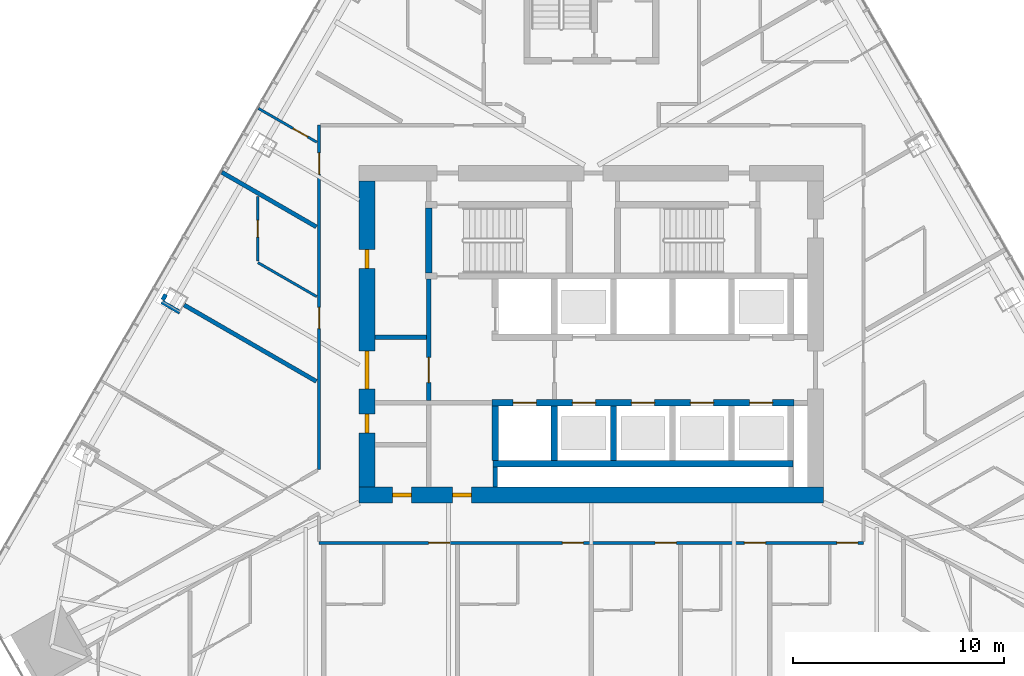
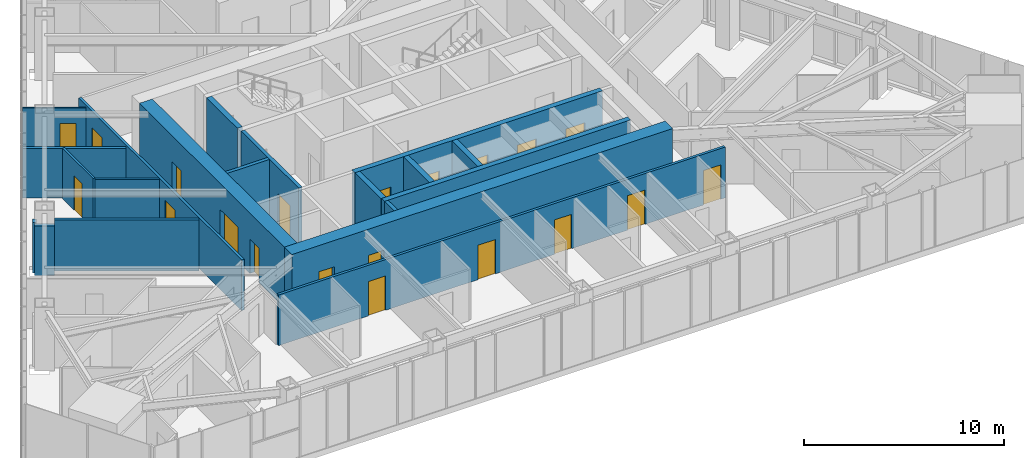
# One storey, part 13 of 19: 20 doors, 20 walls, 20 openings.
"""IFC4 building model written with IfcOpenShell, lengths in metres."""

from ifc_helpers import new_model, si_unit, direction, frame, frame_2d, origin, place, context, subcontext, project, spatial, rectangle, extrude, material, layer, layer_set, type_object, element, fill, save


model = new_model("IFC4")

# Units and contexts
model_context = context("Model", 3, precision=1e-05, world=origin(), true_north=direction((0.0, 1.0)))
body_context = subcontext(model_context, "Body", "Model", "MODEL_VIEW")
ifc_project = project(units=[si_unit("LENGTHUNIT", "METRE"), si_unit("AREAUNIT", "SQUARE_METRE"), si_unit("VOLUMEUNIT", "CUBIC_METRE"), si_unit("PLANEANGLEUNIT", "RADIAN"), si_unit("MASSUNIT", "GRAM", prefix="KILO")], contexts=[model_context])

# Site, building, storey
site_placement = place(None, origin())
site = spatial("IfcSite", under=ifc_project, at=site_placement, CompositionType="ELEMENT")
building_placement = place(site_placement, origin())
building = spatial("IfcBuilding", under=site, at=building_placement, Name="Firuza Gate Tower and Library", CompositionType="ELEMENT")
storey_placement = place(building_placement, frame((0.0, 0.0, 210.39990234375)))
storey = spatial("IfcBuildingStorey", under=building, at=storey_placement, Name="L49", CompositionType="ELEMENT", Elevation=210.39990234375)

# Wall
ifc_material_1 = material(Name="Plasterboard on steel studs", Category="steel")
ifc_layer_1 = layer(ifc_material_1, 0.199951171875)
ifc_layer_set_1 = layer_set([ifc_layer_1], Name="Core partition 200 EI 120")
wall_type_1 = type_object("IfcWallType", Name="Core partition 200 EI 120", PredefinedType="PARTITIONING", material=ifc_layer_set_1)
wall_1_placement = place(storey_placement, frame((64.75, 74.85009765625, 0.0), z_axis=(0.0, 0.0, 1.0), x_axis=(1.0, 0.0, 0.0)))
element("IfcWall", 1, at=wall_1_placement, inside=storey, type_object=wall_type_1, Name="Core partition L49 4", PredefinedType="PARTITIONING", context=body_context, shape_type="SweptSolid", body=[
    extrude(rectangle(XDim=2.449951171875, YDim=0.199951171875, at=frame_2d((1.22509765625, 0.0))), origin(), (0.0, 0.0, 1.0), 3.7001953125),
])

# Wall, opening, door
wall_2_placement = place(storey_placement, frame((67.300048828125, 71.85009765625, 0.0), z_axis=(0.0, 0.0, 1.0), x_axis=(0.0, 1.0, 0.0)))
wall_2 = element("IfcWall", 2, at=wall_2_placement, inside=storey, type_object=wall_type_1, Name="Core partition L49 8", PredefinedType="PARTITIONING", context=body_context, shape_type="SweptSolid", body=[
    extrude(rectangle(XDim=5.75, YDim=0.199951171875, at=frame_2d((2.875, 0.0))), origin(), (0.0, 0.0, 1.0), 3.7001953125),
])
opening_1_placement = place(wall_2_placement, frame((0.85009765625, 0.0, 0.0)))
opening_1 = element("IfcOpeningElement", 3, at=opening_1_placement, cuts=wall_2, Name="Opening L49-K19", PredefinedType="OPENING", context=body_context, shape_type="SweptSolid", body=[
    extrude(rectangle(XDim=1.199951171875, YDim=2.10009765625, at=frame_2d((0.60009765625, 1.050048828125))), frame((0.0, 0.10986328125, 0.0), z_axis=(0.0, -1.0, 0.0), x_axis=(1.0, 0.0, 0.0)), (0.0, 0.0, 1.0), 0.219970703125),
])
ifc_material_2 = material(Name="Steel", Category="steel")
door_type_1 = type_object("IfcDoorType", Name="Fire door 1200x2100 FD90S", OperationType="NOTDEFINED", PredefinedType="DOOR", material=ifc_material_2)
door_1_placement = place(opening_1_placement, origin())
door_1 = element("IfcDoor", 4, at=door_1_placement, inside=storey, type_object=door_type_1, Name="Door L49-K19", OperationType="SINGLE_SWING_RIGHT", OverallHeight=2.10009765625, OverallWidth=1.199951171875, PredefinedType="DOOR", context=body_context, shape_type="SweptSolid", body=[
    extrude(rectangle(XDim=1.199951171875, YDim=2.10009765625, at=frame_2d((0.60009765625, 1.050048828125))), frame((0.0, 0.02490234375, 0.0), z_axis=(0.0, -1.0, 0.0), x_axis=(1.0, 0.0, 0.0)), (0.0, 0.0, 1.0), 0.050048828125),
])
fill(opening_1, door_1)

# Walls
wall_3_placement = place(storey_placement, frame((70.449951171875, 67.75, 0.0), z_axis=(0.0, 0.0, 1.0), x_axis=(0.0, 1.0, 0.0)))
element("IfcWall", 5, at=wall_3_placement, inside=storey, type_object=wall_type_1, Name="Core partition L49 10", PredefinedType="PARTITIONING", context=body_context, shape_type="SweptSolid", body=[
    extrude(rectangle(XDim=0.949951171875, YDim=0.199951171875, at=frame_2d((0.47509765625, 0.0))), origin(), (0.0, 0.0, 1.0), 3.7001953125),
])
ifc_material_3 = material(Name="Concrete C80/95", Category="concrete")
ifc_layer_2 = layer(ifc_material_3, 0.300048828125)
ifc_layer_set_2 = layer_set([ifc_layer_2], Name="Core wall 300 C80/95")
wall_type_2 = type_object("IfcWallType", Name="Core wall 300 C80/95", PredefinedType="SHEAR", material=ifc_layer_set_2)
wall_4_placement = place(storey_placement, frame((70.35009765625, 68.85009765625, 0.0), z_axis=(0.0, 0.0, 1.0), x_axis=(1.0, 0.0, 0.0)))
element("IfcWall", 6, at=wall_4_placement, inside=storey, type_object=wall_type_2, Name="Core wall L49 5", PredefinedType="SHEAR", context=body_context, shape_type="SweptSolid", body=[
    extrude(rectangle(XDim=14.199951171875, YDim=0.300048828125, at=frame_2d((7.10009765625, 0.0))), origin(), (0.0, 0.0, 1.0), 3.7001953125),
])

# Wall, openings, doors
wall_5_placement = place(storey_placement, frame((70.300048828125, 71.75, 0.0), z_axis=(0.0, 0.0, 1.0), x_axis=(1.0, 0.0, 0.0)))
wall_5 = element("IfcWall", 7, at=wall_5_placement, inside=storey, type_object=wall_type_2, Name="Core wall L49 6", PredefinedType="SHEAR", context=body_context, shape_type="SweptSolid", body=[
    extrude(rectangle(XDim=14.300048828125, YDim=0.300048828125, at=frame_2d((7.14990234375, 0.0))), origin(), (0.0, 0.0, 1.0), 3.7001953125),
])
opening_2_placement = place(wall_5_placement, frame((1.0, 0.0, 0.0)))
opening_2 = element("IfcOpeningElement", 8, at=opening_2_placement, cuts=wall_5, Name="Opening LD-FF1-L49", PredefinedType="OPENING", context=body_context, shape_type="SweptSolid", body=[
    extrude(rectangle(XDim=1.10009765625, YDim=2.10009765625, at=frame_2d((0.550048828125, 1.050048828125))), frame((0.0, 0.16015625, 0.0), z_axis=(0.0, -1.0, 0.0), x_axis=(1.0, 0.0, 0.0)), (0.0, 0.0, 1.0), 0.320068359375),
])
opening_3_placement = place(wall_5_placement, frame((3.800048828125, 0.0, 0.0)))
opening_3 = element("IfcOpeningElement", 9, at=opening_3_placement, cuts=wall_5, Name="Opening LD-MR1-L49", PredefinedType="OPENING", context=body_context, shape_type="SweptSolid", body=[
    extrude(rectangle(XDim=1.10009765625, YDim=2.10009765625, at=frame_2d((0.550048828125, 1.050048828125))), frame((0.0, 0.16015625, 0.0), z_axis=(0.0, -1.0, 0.0), x_axis=(1.0, 0.0, 0.0)), (0.0, 0.0, 1.0), 0.320068359375),
])
opening_4_placement = place(wall_5_placement, frame((6.60009765625, 0.0, 0.0)))
opening_4 = element("IfcOpeningElement", 10, at=opening_4_placement, cuts=wall_5, Name="Opening LD-MR2-L49", PredefinedType="OPENING", context=body_context, shape_type="SweptSolid", body=[
    extrude(rectangle(XDim=1.10009765625, YDim=2.10009765625, at=frame_2d((0.550048828125, 1.050048828125))), frame((0.0, 0.16015625, 0.0), z_axis=(0.0, -1.0, 0.0), x_axis=(1.0, 0.0, 0.0)), (0.0, 0.0, 1.0), 0.320068359375),
])
opening_5_placement = place(wall_5_placement, frame((9.39990234375, 0.0, 0.0)))
opening_5 = element("IfcOpeningElement", 11, at=opening_5_placement, cuts=wall_5, Name="Opening LD-MR3-L49", PredefinedType="OPENING", context=body_context, shape_type="SweptSolid", body=[
    extrude(rectangle(XDim=1.10009765625, YDim=2.10009765625, at=frame_2d((0.550048828125, 1.050048828125))), frame((0.0, 0.16015625, 0.0), z_axis=(0.0, -1.0, 0.0), x_axis=(1.0, 0.0, 0.0)), (0.0, 0.0, 1.0), 0.320068359375),
])
opening_6_placement = place(wall_5_placement, frame((12.199951171875, 0.0, 0.0)))
opening_6 = element("IfcOpeningElement", 12, at=opening_6_placement, cuts=wall_5, Name="Opening LD-MR5-L49", PredefinedType="OPENING", context=body_context, shape_type="SweptSolid", body=[
    extrude(rectangle(XDim=1.10009765625, YDim=2.10009765625, at=frame_2d((0.550048828125, 1.050048828125))), frame((0.0, 0.16015625, 0.0), z_axis=(0.0, -1.0, 0.0), x_axis=(1.0, 0.0, 0.0)), (0.0, 0.0, 1.0), 0.320068359375),
])
ifc_material_4 = material(Name="Stainless steel", Category="steel")
door_type_2 = type_object("IfcDoorType", Name="Lift landing door 1100x2100", OperationType="DOUBLE_DOOR_SLIDING", PredefinedType="DOOR", material=ifc_material_4)
door_2_placement = place(opening_2_placement, origin())
door_2 = element("IfcDoor", 13, at=door_2_placement, inside=storey, type_object=door_type_2, Name="Landing door FF1 L49", OperationType="DOUBLE_DOOR_SLIDING", OverallHeight=2.10009765625, OverallWidth=1.10009765625, PredefinedType="DOOR", context=body_context, shape_type="SweptSolid", body=[
    extrude(rectangle(XDim=1.10009765625, YDim=2.10009765625, at=frame_2d((0.550048828125, 1.050048828125))), frame((0.0, 0.02490234375, 0.0), z_axis=(0.0, -1.0, 0.0), x_axis=(1.0, 0.0, 0.0)), (0.0, 0.0, 1.0), 0.050048828125),
])
fill(opening_2, door_2)
door_3_placement = place(opening_3_placement, origin())
door_3 = element("IfcDoor", 14, at=door_3_placement, inside=storey, type_object=door_type_2, Name="Landing door MR1 L49", OperationType="DOUBLE_DOOR_SLIDING", OverallHeight=2.10009765625, OverallWidth=1.10009765625, PredefinedType="DOOR", context=body_context, shape_type="SweptSolid", body=[
    extrude(rectangle(XDim=1.10009765625, YDim=2.10009765625, at=frame_2d((0.550048828125, 1.050048828125))), frame((0.0, 0.02490234375, 0.0), z_axis=(0.0, -1.0, 0.0), x_axis=(1.0, 0.0, 0.0)), (0.0, 0.0, 1.0), 0.050048828125),
])
fill(opening_3, door_3)
door_4_placement = place(opening_4_placement, origin())
door_4 = element("IfcDoor", 15, at=door_4_placement, inside=storey, type_object=door_type_2, Name="Landing door MR2 L49", OperationType="DOUBLE_DOOR_SLIDING", OverallHeight=2.10009765625, OverallWidth=1.10009765625, PredefinedType="DOOR", context=body_context, shape_type="SweptSolid", body=[
    extrude(rectangle(XDim=1.10009765625, YDim=2.10009765625, at=frame_2d((0.550048828125, 1.050048828125))), frame((0.0, 0.02490234375, 0.0), z_axis=(0.0, -1.0, 0.0), x_axis=(1.0, 0.0, 0.0)), (0.0, 0.0, 1.0), 0.050048828125),
])
fill(opening_4, door_4)
door_5_placement = place(opening_5_placement, origin())
door_5 = element("IfcDoor", 16, at=door_5_placement, inside=storey, type_object=door_type_2, Name="Landing door MR3 L49", OperationType="DOUBLE_DOOR_SLIDING", OverallHeight=2.10009765625, OverallWidth=1.10009765625, PredefinedType="DOOR", context=body_context, shape_type="SweptSolid", body=[
    extrude(rectangle(XDim=1.10009765625, YDim=2.10009765625, at=frame_2d((0.550048828125, 1.050048828125))), frame((0.0, 0.02490234375, 0.0), z_axis=(0.0, -1.0, 0.0), x_axis=(1.0, 0.0, 0.0)), (0.0, 0.0, 1.0), 0.050048828125),
])
fill(opening_5, door_5)
door_6_placement = place(opening_6_placement, origin())
door_6 = element("IfcDoor", 17, at=door_6_placement, inside=storey, type_object=door_type_2, Name="Landing door MR5 L49", OperationType="DOUBLE_DOOR_SLIDING", OverallHeight=2.10009765625, OverallWidth=1.10009765625, PredefinedType="DOOR", context=body_context, shape_type="SweptSolid", body=[
    extrude(rectangle(XDim=1.10009765625, YDim=2.10009765625, at=frame_2d((0.550048828125, 1.050048828125))), frame((0.0, 0.02490234375, 0.0), z_axis=(0.0, -1.0, 0.0), x_axis=(1.0, 0.0, 0.0)), (0.0, 0.0, 1.0), 0.050048828125),
])
fill(opening_6, door_6)

# Walls
for number, where, z_axis, x_axis, name in (
    (18, (70.449951171875, 69.0, 0.0), (0.0, 0.0, 1.0), (0.0, 1.0, 0.0), "Core wall L49 8"),
    (19, (73.25, 69.0, 0.0), (0.0, 0.0, 1.0), (0.0, 1.0, 0.0), "Core wall L49 10"),
    (20, (76.050048828125, 69.0, 0.0), (0.0, 0.0, 1.0), (0.0, 1.0, 0.0), "Core wall L49 12"),
):
    element("IfcWall", number, at=place(storey_placement, frame(where, z_axis=z_axis, x_axis=x_axis)), inside=storey, type_object=wall_type_2, Name=name, PredefinedType="SHEAR", context=body_context, shape_type="SweptSolid", body=[
        extrude(rectangle(XDim=2.60009765625, YDim=0.300048828125, at=frame_2d((1.300048828125, 0.0))), origin(), (0.0, 0.0, 1.0), 3.7001953125),
    ])
wall_6_placement = place(storey_placement, frame((67.300048828125, 77.89990234375, 0.0), z_axis=(0.0, 0.0, 1.0), x_axis=(0.0, 1.0, 0.0)))
element("IfcWall", 21, at=wall_6_placement, inside=storey, type_object=wall_type_2, Name="Core wall L49 23", PredefinedType="SHEAR", context=body_context, shape_type="SweptSolid", body=[
    extrude(rectangle(XDim=3.080078125, YDim=0.300048828125, at=frame_2d((1.5400390625, 0.0))), origin(), (0.0, 0.0, 1.0), 3.7001953125),
])

# Wall, openings, doors
ifc_material_5 = material(Name="Concrete C80/95", Category="concrete")
ifc_layer_3 = layer(ifc_material_5, 0.75)
ifc_layer_set_3 = layer_set([ifc_layer_3], Name="Core wall 750 C80/95")
wall_type_3 = type_object("IfcWallType", Name="Core wall 750 C80/95", PredefinedType="SHEAR", material=ifc_layer_set_3)
wall_7_placement = place(storey_placement, frame((64.0, 67.375, 0.0), z_axis=(0.0, 0.0, 1.0), x_axis=(1.0, 0.0, 0.0)))
wall_7 = element("IfcWall", 22, at=wall_7_placement, inside=storey, type_object=wall_type_3, Name="Core wall L49 1", PredefinedType="SHEAR", context=body_context, shape_type="SweptSolid", body=[
    extrude(rectangle(XDim=22.0, YDim=0.75, at=frame_2d((11.0, 0.0))), origin(), (0.0, 0.0, 1.0), 3.7001953125),
])
opening_7_placement = place(wall_7_placement, frame((1.574951171875, 0.0, 0.0)))
opening_7 = element("IfcOpeningElement", 23, at=opening_7_placement, cuts=wall_7, Name="Opening L49-K22", PredefinedType="OPENING", context=body_context, shape_type="SweptSolid", body=[
    extrude(rectangle(XDim=0.89990234375, YDim=2.10009765625, at=frame_2d((0.449951171875, 1.050048828125))), frame((0.0, 0.385009765625, 0.0), z_axis=(0.0, -1.0, 0.0), x_axis=(1.0, 0.0, 0.0)), (0.0, 0.0, 1.0), 0.77001953125),
])
opening_8_placement = place(wall_7_placement, frame((4.425048828125, 0.0, 0.0)))
opening_8 = element("IfcOpeningElement", 24, at=opening_8_placement, cuts=wall_7, Name="Opening L49-K24", PredefinedType="OPENING", context=body_context, shape_type="SweptSolid", body=[
    extrude(rectangle(XDim=0.89990234375, YDim=2.10009765625, at=frame_2d((0.449951171875, 1.050048828125))), frame((0.0, 0.385009765625, 0.0), z_axis=(0.0, -1.0, 0.0), x_axis=(1.0, 0.0, 0.0)), (0.0, 0.0, 1.0), 0.77001953125),
])
ifc_material_6 = material(Name="Steel", Category="steel")
door_type_3 = type_object("IfcDoorType", Name="Fire door 900x2100 FD30S", OperationType="NOTDEFINED", PredefinedType="DOOR", material=ifc_material_6)
door_7_placement = place(opening_7_placement, origin())
door_7 = element("IfcDoor", 25, at=door_7_placement, inside=storey, type_object=door_type_3, Name="Door L49-K22", OperationType="SINGLE_SWING_LEFT", OverallHeight=2.10009765625, OverallWidth=0.89990234375, PredefinedType="DOOR", context=body_context, shape_type="SweptSolid", body=[
    extrude(rectangle(XDim=0.89990234375, YDim=2.10009765625, at=frame_2d((0.449951171875, 1.050048828125))), frame((0.0, 0.094970703125, 0.0), z_axis=(0.0, -1.0, 0.0), x_axis=(1.0, 0.0, 0.0)), (0.0, 0.0, 1.0), 0.18994140625),
])
fill(opening_7, door_7)
door_8_placement = place(opening_8_placement, origin())
door_8 = element("IfcDoor", 26, at=door_8_placement, inside=storey, type_object=door_type_3, Name="Door L49-K24", OperationType="SINGLE_SWING_LEFT", OverallHeight=2.10009765625, OverallWidth=0.89990234375, PredefinedType="DOOR", context=body_context, shape_type="SweptSolid", body=[
    extrude(rectangle(XDim=0.89990234375, YDim=2.10009765625, at=frame_2d((0.449951171875, 1.050048828125))), frame((0.0, 0.094970703125, 0.0), z_axis=(0.0, -1.0, 0.0), x_axis=(1.0, 0.0, 0.0)), (0.0, 0.0, 1.0), 0.18994140625),
])
fill(opening_8, door_8)

wall_8_placement = place(storey_placement, frame((64.375, 67.75, 0.0), z_axis=(0.0, 0.0, 1.0), x_axis=(0.0, 1.0, 0.0)))
wall_8 = element("IfcWall", 27, at=wall_8_placement, inside=storey, type_object=wall_type_3, Name="Core wall L49 3", PredefinedType="SHEAR", context=body_context, shape_type="SweptSolid", body=[
    extrude(rectangle(XDim=14.5, YDim=0.75, at=frame_2d((7.25, 0.0))), origin(), (0.0, 0.0, 1.0), 3.7001953125),
])
opening_9_placement = place(wall_8_placement, frame((4.64990234375, 0.0, 0.0)))
opening_9 = element("IfcOpeningElement", 28, at=opening_9_placement, cuts=wall_8, Name="Opening L49-K20", PredefinedType="OPENING", context=body_context, shape_type="SweptSolid", body=[
    extrude(rectangle(XDim=1.800048828125, YDim=2.10009765625, at=frame_2d((0.89990234375, 1.050048828125))), frame((0.0, 0.385009765625, 0.0), z_axis=(0.0, -1.0, 0.0), x_axis=(1.0, 0.0, 0.0)), (0.0, 0.0, 1.0), 0.77001953125),
])
opening_10_placement = place(wall_8_placement, frame((2.550048828125, 0.0, 0.0)))
opening_10 = element("IfcOpeningElement", 29, at=opening_10_placement, cuts=wall_8, Name="Opening L49-K23", PredefinedType="OPENING", context=body_context, shape_type="SweptSolid", body=[
    extrude(rectangle(XDim=0.89990234375, YDim=2.10009765625, at=frame_2d((0.449951171875, 1.050048828125))), frame((0.0, 0.385009765625, 0.0), z_axis=(0.0, -1.0, 0.0), x_axis=(1.0, 0.0, 0.0)), (0.0, 0.0, 1.0), 0.77001953125),
])
opening_11_placement = place(wall_8_placement, frame((10.35009765625, 0.0, 0.0)))
opening_11 = element("IfcOpeningElement", 30, at=opening_11_placement, cuts=wall_8, Name="Opening L49-K25", PredefinedType="OPENING", context=body_context, shape_type="SweptSolid", body=[
    extrude(rectangle(XDim=0.89990234375, YDim=2.10009765625, at=frame_2d((0.449951171875, 1.050048828125))), frame((0.0, 0.385009765625, 0.0), z_axis=(0.0, -1.0, 0.0), x_axis=(1.0, 0.0, 0.0)), (0.0, 0.0, 1.0), 0.77001953125),
])
ifc_material_7 = material(Name="Steel", Category="steel")
door_type_4 = type_object("IfcDoorType", Name="Fire door 1800x2100 FD30S", OperationType="NOTDEFINED", PredefinedType="DOOR", material=ifc_material_7)
door_9_placement = place(opening_9_placement, origin())
door_9 = element("IfcDoor", 31, at=door_9_placement, inside=storey, type_object=door_type_4, Name="Door L49-K20", OperationType="SINGLE_SWING_LEFT", OverallHeight=2.10009765625, OverallWidth=1.800048828125, PredefinedType="DOOR", context=body_context, shape_type="SweptSolid", body=[
    extrude(rectangle(XDim=1.800048828125, YDim=2.10009765625, at=frame_2d((0.89990234375, 1.050048828125))), frame((0.0, 0.094970703125, 0.0), z_axis=(0.0, -1.0, 0.0), x_axis=(1.0, 0.0, 0.0)), (0.0, 0.0, 1.0), 0.18994140625),
])
fill(opening_9, door_9)
door_10_placement = place(opening_10_placement, origin())
door_10 = element("IfcDoor", 32, at=door_10_placement, inside=storey, type_object=door_type_3, Name="Door L49-K23", OperationType="SINGLE_SWING_RIGHT", OverallHeight=2.10009765625, OverallWidth=0.89990234375, PredefinedType="DOOR", context=body_context, shape_type="SweptSolid", body=[
    extrude(rectangle(XDim=0.89990234375, YDim=2.10009765625, at=frame_2d((0.449951171875, 1.050048828125))), frame((0.0, 0.094970703125, 0.0), z_axis=(0.0, -1.0, 0.0), x_axis=(1.0, 0.0, 0.0)), (0.0, 0.0, 1.0), 0.18994140625),
])
fill(opening_10, door_10)
door_11_placement = place(opening_11_placement, origin())
door_11 = element("IfcDoor", 33, at=door_11_placement, inside=storey, type_object=door_type_3, Name="Door L49-K25", OperationType="SINGLE_SWING_RIGHT", OverallHeight=2.10009765625, OverallWidth=0.89990234375, PredefinedType="DOOR", context=body_context, shape_type="SweptSolid", body=[
    extrude(rectangle(XDim=0.89990234375, YDim=2.10009765625, at=frame_2d((0.449951171875, 1.050048828125))), frame((0.0, 0.094970703125, 0.0), z_axis=(0.0, -1.0, 0.0), x_axis=(1.0, 0.0, 0.0)), (0.0, 0.0, 1.0), 0.18994140625),
])
fill(opening_11, door_11)

ifc_material_8 = material(Name="Gypsum board partition")
ifc_layer_4 = layer(ifc_material_8, 0.14990234375)
ifc_layer_set_4 = layer_set([ifc_layer_4], Name="Corridor wall 150 double board on steel studs")
wall_type_4 = type_object("IfcWallType", Name="Corridor wall 150 double board on steel studs", PredefinedType="PARTITIONING", material=ifc_layer_set_4)
wall_9_placement = place(storey_placement, frame((87.8994140625, 65.10009765625, 0.0), z_axis=(0.0, 0.0, 1.0), x_axis=(-1.0, 0.0, 0.0)))
wall_9 = element("IfcWall", 34, at=wall_9_placement, inside=storey, type_object=wall_type_4, Name="f:L49:w008", PredefinedType="PARTITIONING", context=body_context, shape_type="SweptSolid", body=[
    extrude(rectangle(XDim=25.798828125, YDim=0.14990234375, at=frame_2d((12.8994140625, 0.0))), origin(), (0.0, 0.0, 1.0), 3.10009765625),
])
opening_12_placement = place(wall_9_placement, frame((0.259033203125, 0.0, 0.0)))
opening_12 = element("IfcOpeningElement", 35, at=opening_12_placement, cuts=wall_9, Name="Opening L49-06", PredefinedType="OPENING", context=body_context, shape_type="SweptSolid", body=[
    extrude(rectangle(XDim=1.0, YDim=2.10009765625, at=frame_2d((0.5, 1.050048828125))), frame((0.0, 0.0849609375, 0.0), z_axis=(0.0, -1.0, 0.0), x_axis=(1.0, 0.0, 0.0)), (0.0, 0.0, 1.0), 0.169921875),
])
opening_13_placement = place(wall_9_placement, frame((4.640625, 0.0, 0.0)))
opening_13 = element("IfcOpeningElement", 36, at=opening_13_placement, cuts=wall_9, Name="Opening L49-07", PredefinedType="OPENING", context=body_context, shape_type="SweptSolid", body=[
    extrude(rectangle(XDim=1.0, YDim=2.10009765625, at=frame_2d((0.5, 1.050048828125))), frame((0.0, 0.0849609375, 0.0), z_axis=(0.0, -1.0, 0.0), x_axis=(1.0, 0.0, 0.0)), (0.0, 0.0, 1.0), 0.169921875),
])
opening_14_placement = place(wall_9_placement, frame((8.868408203125, 0.0, 0.0)))
opening_14 = element("IfcOpeningElement", 37, at=opening_14_placement, cuts=wall_9, Name="Opening L49-08", PredefinedType="OPENING", context=body_context, shape_type="SweptSolid", body=[
    extrude(rectangle(XDim=1.0, YDim=2.10009765625, at=frame_2d((0.5, 1.050048828125))), frame((0.0, 0.0849609375, 0.0), z_axis=(0.0, -1.0, 0.0), x_axis=(1.0, 0.0, 0.0)), (0.0, 0.0, 1.0), 0.169921875),
])
opening_15_placement = place(wall_9_placement, frame((13.2705078125, 0.0, 0.0)))
opening_15 = element("IfcOpeningElement", 38, at=opening_15_placement, cuts=wall_9, Name="Opening L49-09", PredefinedType="OPENING", context=body_context, shape_type="SweptSolid", body=[
    extrude(rectangle(XDim=1.0, YDim=2.10009765625, at=frame_2d((0.5, 1.050048828125))), frame((0.0, 0.0849609375, 0.0), z_axis=(0.0, -1.0, 0.0), x_axis=(1.0, 0.0, 0.0)), (0.0, 0.0, 1.0), 0.169921875),
])
opening_16_placement = place(wall_9_placement, frame((19.6123046875, 0.0, 0.0)))
opening_16 = element("IfcOpeningElement", 39, at=opening_16_placement, cuts=wall_9, Name="Opening L49-10", PredefinedType="OPENING", context=body_context, shape_type="SweptSolid", body=[
    extrude(rectangle(XDim=1.0, YDim=2.10009765625, at=frame_2d((0.5, 1.050048828125))), frame((0.0, 0.0849609375, 0.0), z_axis=(0.0, -1.0, 0.0), x_axis=(1.0, 0.0, 0.0)), (0.0, 0.0, 1.0), 0.169921875),
])
ifc_material_9 = material(Name="Steel door and timber leaf", Category="steel")
door_type_5 = type_object("IfcDoorType", Name="Fire door 1000 x 2100 steel frame, timber leaf", OperationType="NOTDEFINED", PredefinedType="DOOR", material=ifc_material_9)
door_12_placement = place(opening_12_placement, origin())
door_12 = element("IfcDoor", 40, at=door_12_placement, inside=storey, type_object=door_type_5, Name="f:L49:d006", OperationType="SINGLE_SWING_RIGHT", OverallHeight=2.10009765625, OverallWidth=1.0, PredefinedType="DOOR", context=body_context, shape_type="SweptSolid", body=[
    extrude(rectangle(XDim=1.0, YDim=2.10009765625, at=frame_2d((0.5, 1.050048828125))), frame((0.0, 0.02490234375, 0.0), z_axis=(0.0, -1.0, 0.0), x_axis=(1.0, 0.0, 0.0)), (0.0, 0.0, 1.0), 0.050048828125),
])
fill(opening_12, door_12)
door_13_placement = place(opening_13_placement, origin())
door_13 = element("IfcDoor", 41, at=door_13_placement, inside=storey, type_object=door_type_5, Name="f:L49:d007", OperationType="SINGLE_SWING_RIGHT", OverallHeight=2.10009765625, OverallWidth=1.0, PredefinedType="DOOR", context=body_context, shape_type="SweptSolid", body=[
    extrude(rectangle(XDim=1.0, YDim=2.10009765625, at=frame_2d((0.5, 1.050048828125))), frame((0.0, 0.02490234375, 0.0), z_axis=(0.0, -1.0, 0.0), x_axis=(1.0, 0.0, 0.0)), (0.0, 0.0, 1.0), 0.050048828125),
])
fill(opening_13, door_13)
door_14_placement = place(opening_14_placement, origin())
door_14 = element("IfcDoor", 42, at=door_14_placement, inside=storey, type_object=door_type_5, Name="f:L49:d008", OperationType="SINGLE_SWING_RIGHT", OverallHeight=2.10009765625, OverallWidth=1.0, PredefinedType="DOOR", context=body_context, shape_type="SweptSolid", body=[
    extrude(rectangle(XDim=1.0, YDim=2.10009765625, at=frame_2d((0.5, 1.050048828125))), frame((0.0, 0.02490234375, 0.0), z_axis=(0.0, -1.0, 0.0), x_axis=(1.0, 0.0, 0.0)), (0.0, 0.0, 1.0), 0.050048828125),
])
fill(opening_14, door_14)
door_15_placement = place(opening_15_placement, origin())
door_15 = element("IfcDoor", 43, at=door_15_placement, inside=storey, type_object=door_type_5, Name="f:L49:d009", OperationType="SINGLE_SWING_RIGHT", OverallHeight=2.10009765625, OverallWidth=1.0, PredefinedType="DOOR", context=body_context, shape_type="SweptSolid", body=[
    extrude(rectangle(XDim=1.0, YDim=2.10009765625, at=frame_2d((0.5, 1.050048828125))), frame((0.0, 0.02490234375, 0.0), z_axis=(0.0, -1.0, 0.0), x_axis=(1.0, 0.0, 0.0)), (0.0, 0.0, 1.0), 0.050048828125),
])
fill(opening_15, door_15)
door_16_placement = place(opening_16_placement, origin())
door_16 = element("IfcDoor", 44, at=door_16_placement, inside=storey, type_object=door_type_5, Name="f:L49:d010", OperationType="SINGLE_SWING_RIGHT", OverallHeight=2.10009765625, OverallWidth=1.0, PredefinedType="DOOR", context=body_context, shape_type="SweptSolid", body=[
    extrude(rectangle(XDim=1.0, YDim=2.10009765625, at=frame_2d((0.5, 1.050048828125))), frame((0.0, 0.02490234375, 0.0), z_axis=(0.0, -1.0, 0.0), x_axis=(1.0, 0.0, 0.0)), (0.0, 0.0, 1.0), 0.050048828125),
])
fill(opening_16, door_16)

wall_10_placement = place(storey_placement, frame((62.10009765625, 68.59130859375, 0.0), z_axis=(0.0, 0.0, 1.0), x_axis=(0.0, 1.0, 0.0)))
wall_10 = element("IfcWall", 45, at=wall_10_placement, inside=storey, type_object=wall_type_4, Name="f:L49:w082", PredefinedType="PARTITIONING", context=body_context, shape_type="SweptSolid", body=[
    extrude(rectangle(XDim=16.30859375, YDim=0.14990234375, at=frame_2d((8.154296875, 0.0))), origin(), (0.0, 0.0, 1.0), 3.10009765625),
])
opening_17_placement = place(wall_10_placement, frame((6.66845703125, 0.0, 0.0)))
opening_17 = element("IfcOpeningElement", 46, at=opening_17_placement, cuts=wall_10, Name="Opening L49-37", PredefinedType="OPENING", context=body_context, shape_type="SweptSolid", body=[
    extrude(rectangle(XDim=1.0, YDim=2.10009765625, at=frame_2d((0.5, 1.050048828125))), frame((0.0, 0.0849609375, 0.0), z_axis=(0.0, -1.0, 0.0), x_axis=(1.0, 0.0, 0.0)), (0.0, 0.0, 1.0), 0.169921875),
])
opening_18_placement = place(wall_10_placement, frame((13.991455078125, 0.0, 0.0)))
opening_18 = element("IfcOpeningElement", 47, at=opening_18_placement, cuts=wall_10, Name="Opening L49-38", PredefinedType="OPENING", context=body_context, shape_type="SweptSolid", body=[
    extrude(rectangle(XDim=1.0, YDim=2.10009765625, at=frame_2d((0.5, 1.050048828125))), frame((0.0, 0.0849609375, 0.0), z_axis=(0.0, -1.0, 0.0), x_axis=(1.0, 0.0, 0.0)), (0.0, 0.0, 1.0), 0.169921875),
])
door_17_placement = place(opening_17_placement, origin())
door_17 = element("IfcDoor", 48, at=door_17_placement, inside=storey, type_object=door_type_5, Name="f:L49:d037", OperationType="SINGLE_SWING_RIGHT", OverallHeight=2.10009765625, OverallWidth=1.0, PredefinedType="DOOR", context=body_context, shape_type="SweptSolid", body=[
    extrude(rectangle(XDim=1.0, YDim=2.10009765625, at=frame_2d((0.5, 1.050048828125))), frame((0.0, 0.02490234375, 0.0), z_axis=(0.0, -1.0, 0.0), x_axis=(1.0, 0.0, 0.0)), (0.0, 0.0, 1.0), 0.050048828125),
])
fill(opening_17, door_17)
door_18_placement = place(opening_18_placement, origin())
door_18 = element("IfcDoor", 49, at=door_18_placement, inside=storey, type_object=door_type_5, Name="f:L49:d038", OperationType="SINGLE_SWING_RIGHT", OverallHeight=2.10009765625, OverallWidth=1.0, PredefinedType="DOOR", context=body_context, shape_type="SweptSolid", body=[
    extrude(rectangle(XDim=1.0, YDim=2.10009765625, at=frame_2d((0.5, 1.050048828125))), frame((0.0, 0.02490234375, 0.0), z_axis=(0.0, -1.0, 0.0), x_axis=(1.0, 0.0, 0.0)), (0.0, 0.0, 1.0), 0.050048828125),
])
fill(opening_18, door_18)

# Walls
ifc_material_10 = material(Name="Gypsum board partition")
ifc_layer_5 = layer(ifc_material_10, 0.199951171875)
ifc_layer_set_5 = layer_set([ifc_layer_5], Name="Demising wall 200 acoustic double stud")
wall_type_5 = type_object("IfcWallType", Name="Demising wall 200 acoustic double stud", PredefinedType="PARTITIONING", material=ifc_layer_set_5)
wall_11_placement = place(storey_placement, frame((54.684814453125, 76.618896484375, 0.0), z_axis=(0.0, 0.0, 1.0), x_axis=(0.499816412211, 0.866131372301, 0.0)))
element("IfcWall", 50, at=wall_11_placement, inside=storey, type_object=wall_type_5, Name="f:L49:w046", PredefinedType="PARTITIONING", context=body_context, shape_type="SweptSolid", body=[
    extrude(rectangle(XDim=0.2998046875, YDim=0.199951171875, at=frame_2d((0.14990234375, 0.0))), origin(), (0.0, 0.0, 1.0), 3.10009765625),
])
wall_12_placement = place(storey_placement, frame((61.97314453125, 80.080078125, 0.0), z_axis=(0.0, 0.0, 1.0), x_axis=(-0.86601608377, 0.500016142392, 0.0)))
element("IfcWall", 51, at=wall_12_placement, inside=storey, type_object=wall_type_5, Name="f:L49:w109", PredefinedType="PARTITIONING", context=body_context, shape_type="SweptSolid", body=[
    extrude(rectangle(XDim=5.180908203125, YDim=0.199951171875, at=frame_2d((2.59033203125, 0.0))), origin(), (0.0, 0.0, 1.0), 3.022216796875),
])
wall_13_placement = place(storey_placement, frame((61.972900390625, 72.757080078125, 0.0), z_axis=(0.0, 0.0, 1.0), x_axis=(-0.866027278279, 0.499996753267, 0.0)))
element("IfcWall", 52, at=wall_13_placement, inside=storey, type_object=wall_type_5, Name="f:L49:w112", PredefinedType="PARTITIONING", context=body_context, shape_type="SweptSolid", body=[
    extrude(rectangle(XDim=7.2421875, YDim=0.199951171875, at=frame_2d((3.62109375, 0.0))), origin(), (0.0, 0.0, 1.0), 3.10009765625),
])
wall_14_placement = place(storey_placement, frame((55.5009765625, 76.03173828125, 0.0), z_axis=(0.0, 0.0, 1.0), x_axis=(-0.866010750942, 0.50002537861, 0.0)))
element("IfcWall", 53, at=wall_14_placement, inside=storey, type_object=wall_type_5, Name="f:L49:w113", PredefinedType="PARTITIONING", context=body_context, shape_type="SweptSolid", body=[
    extrude(rectangle(XDim=1.0, YDim=0.199951171875, at=frame_2d((0.5, 0.0))), origin(), (0.0, 0.0, 1.0), 3.022216796875),
])

# Wall, opening, door
ifc_material_11 = material(Name="Gypsum board partition")
ifc_layer_6 = layer(ifc_material_11, 0.1201171875)
ifc_layer_set_6 = layer_set([ifc_layer_6], Name="Wet-area partition 120 moisture-resistant board")
wall_type_6 = type_object("IfcWallType", Name="Wet-area partition 120 moisture-resistant board", PredefinedType="PARTITIONING", material=ifc_layer_set_6)
wall_15_placement = place(storey_placement, frame((59.199951171875, 81.525634765625, 0.0), z_axis=(0.0, 0.0, 1.0), x_axis=(0.0, -1.0, 0.0)))
wall_15 = element("IfcWall", 54, at=wall_15_placement, inside=storey, type_object=wall_type_6, Name="f:L49:w083", PredefinedType="PARTITIONING", context=body_context, shape_type="SweptSolid", body=[
    extrude(rectangle(XDim=3.0703125, YDim=0.1201171875, at=frame_2d((1.53515625, 0.0))), origin(), (0.0, 0.0, 1.0), 3.10009765625),
])
opening_19_placement = place(wall_15_placement, frame((1.13525390625, 0.0, 0.0)))
opening_19 = element("IfcOpeningElement", 55, at=opening_19_placement, cuts=wall_15, Name="Opening L49-39", PredefinedType="OPENING", context=body_context, shape_type="SweptSolid", body=[
    extrude(rectangle(XDim=0.800048828125, YDim=2.10009765625, at=frame_2d((0.39990234375, 1.050048828125))), frame((0.0, 0.070068359375, 0.0), z_axis=(0.0, -1.0, 0.0), x_axis=(1.0, 0.0, 0.0)), (0.0, 0.0, 1.0), 0.14013671875),
])
ifc_material_12 = material(Name="Timber door", Category="wood")
door_type_6 = type_object("IfcDoorType", Name="Door 800 x 2100 timber leaf", OperationType="NOTDEFINED", PredefinedType="DOOR", material=ifc_material_12)
door_19_placement = place(opening_19_placement, origin())
door_19 = element("IfcDoor", 56, at=door_19_placement, inside=storey, type_object=door_type_6, Name="f:L49:d039", OperationType="SINGLE_SWING_RIGHT", OverallHeight=2.10009765625, OverallWidth=0.800048828125, PredefinedType="DOOR", context=body_context, shape_type="SweptSolid", body=[
    extrude(rectangle(XDim=0.800048828125, YDim=2.10009765625, at=frame_2d((0.39990234375, 1.050048828125))), frame((0.0, 0.02490234375, 0.0), z_axis=(0.0, -1.0, 0.0), x_axis=(1.0, 0.0, 0.0)), (0.0, 0.0, 1.0), 0.050048828125),
])
fill(opening_19, door_19)

wall_16_placement = place(storey_placement, frame((59.230224609375, 85.691162109375, 0.0), z_axis=(0.0, 0.0, 1.0), x_axis=(0.866042722185, -0.49997000245, 0.0)))
wall_16 = element("IfcWall", 57, at=wall_16_placement, inside=storey, type_object=wall_type_6, Name="f:L49:w106", PredefinedType="PARTITIONING", context=body_context, shape_type="SweptSolid", body=[
    extrude(rectangle(XDim=3.187255859375, YDim=0.1201171875, at=frame_2d((1.59375, 0.0))), origin(), (0.0, 0.0, 1.0), 3.022216796875),
])
opening_20_placement = place(wall_16_placement, frame((1.8935546875, 0.0, 0.0)))
opening_20 = element("IfcOpeningElement", 58, at=opening_20_placement, cuts=wall_16, Name="Opening L49-42", PredefinedType="OPENING", context=body_context, shape_type="SweptSolid", body=[
    extrude(rectangle(XDim=0.800048828125, YDim=2.10009765625, at=frame_2d((0.39990234375, 1.050048828125))), frame((0.0, 0.070068359375, 0.0), z_axis=(0.0, -1.0, 0.0), x_axis=(1.0, 0.0, 0.0)), (0.0, 0.0, 1.0), 0.14013671875),
])
door_20_placement = place(opening_20_placement, origin())
door_20 = element("IfcDoor", 59, at=door_20_placement, inside=storey, type_object=door_type_6, Name="f:L49:d042", OperationType="SINGLE_SWING_RIGHT", OverallHeight=2.10009765625, OverallWidth=0.800048828125, PredefinedType="DOOR", context=body_context, shape_type="SweptSolid", body=[
    extrude(rectangle(XDim=0.800048828125, YDim=2.10009765625, at=frame_2d((0.39990234375, 1.050048828125))), frame((0.0, 0.02490234375, 0.0), z_axis=(0.0, -1.0, 0.0), x_axis=(1.0, 0.0, 0.0)), (0.0, 0.0, 1.0), 0.050048828125),
])
fill(opening_20, door_20)

# Wall
wall_17_placement = place(storey_placement, frame((61.990234375, 76.774658203125, 0.0), z_axis=(0.0, 0.0, 1.0), x_axis=(-0.866010186656, 0.500026355914, 0.0)))
element("IfcWall", 60, at=wall_17_placement, inside=storey, type_object=wall_type_6, Name="f:L49:w111", PredefinedType="PARTITIONING", context=body_context, shape_type="SweptSolid", body=[
    extrude(rectangle(XDim=3.221923828125, YDim=0.1201171875, at=frame_2d((1.61083984375, 0.0))), origin(), (0.0, 0.0, 1.0), 3.10009765625),
])

save(model, "model.ifc")
